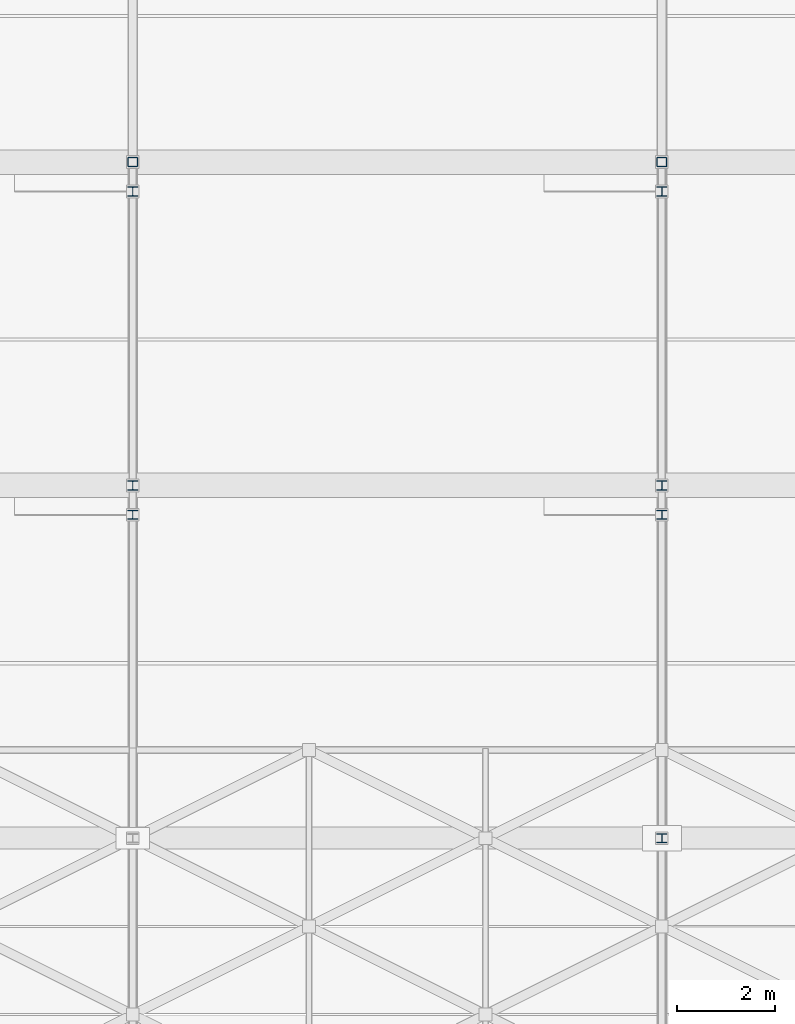
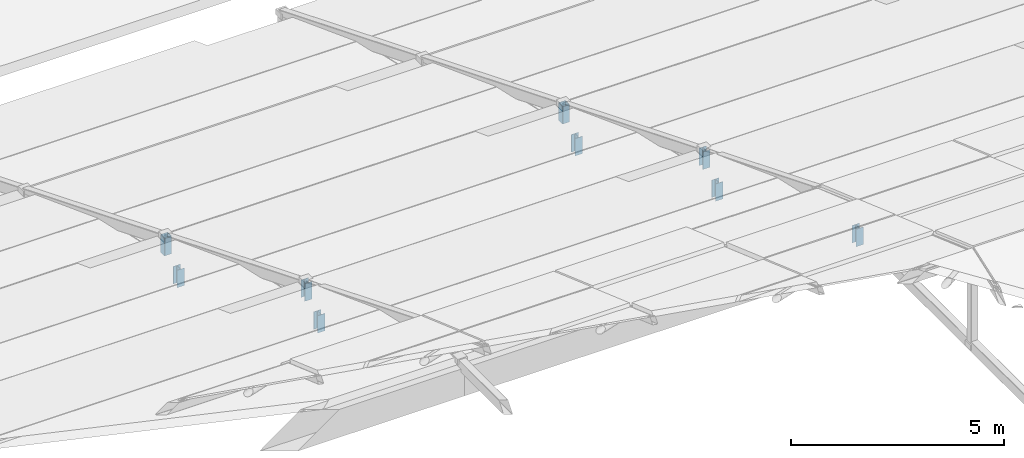
# One storey, part 79 of 112: 9 members.
"""IFC4 building model written with IfcOpenShell, lengths in metres."""

from ifc_helpers import new_model, si_unit, direction, frame, origin, origin_2d, place, context, subcontext, project, spatial, hollow_rectangle, i_section, extrude, material, material_profile, profile_set, type_object, element, save


model = new_model("IFC4")

# Units and contexts
model_context = context("Model", 3, precision=1e-05, world=origin(), true_north=direction((0.0, 1.0)))
body_context = subcontext(model_context, "Body", "Model", "MODEL_VIEW")
ifc_project = project(units=[si_unit("LENGTHUNIT", "METRE"), si_unit("AREAUNIT", "SQUARE_METRE"), si_unit("VOLUMEUNIT", "CUBIC_METRE"), si_unit("PLANEANGLEUNIT", "RADIAN"), si_unit("MASSUNIT", "GRAM", prefix="KILO")], contexts=[model_context])

# Site, building, storey
site_placement = place(None, origin())
site = spatial("IfcSite", under=ifc_project, at=site_placement, CompositionType="ELEMENT")
building_placement = place(site_placement, origin())
building = spatial("IfcBuilding", under=site, at=building_placement, Name="Zwinboog Wholesale Market", CompositionType="ELEMENT")
storey_placement = place(building_placement, frame((0.0, 0.0, 19.080078125)))
storey = spatial("IfcBuildingStorey", under=building, at=storey_placement, Name="Roof", CompositionType="ELEMENT", Elevation=19.080078125)

# Members
ifc_material = material(Name="Steel S355", Category="steel")
ifc_material_profile_1 = material_profile(ifc_material, hollow_rectangle(XDim=0.199951171875, YDim=0.199951171875, WallThickness=0.010009765625, InnerFilletRadius=0.010009765625, OuterFilletRadius=0.02001953125, at=origin_2d()), Name="SHS 200x200x10")
ifc_profile_set_1 = profile_set([ifc_material_profile_1], Name="Steel S355")
member_type_1 = type_object("IfcMemberType", Name="MT-04", PredefinedType="BRACE", material=ifc_profile_set_1)
for number, where, z_axis, x_axis, name in (
    (1, (97.199951171875, 94.800048828125, -4.630126953125), (0.0, 0.0, 1.0), (1.0, 0.0, 0.0), "DB-01 (MEM-Roof-0111)"),
    (2, (108.0, 94.800048828125, -4.630126953125), (0.0, 0.0, 1.0), (1.0, 0.0, 0.0), "DB-01 (MEM-Roof-0141)"),
):
    element("IfcMember", number, at=place(storey_placement, frame(where, z_axis=z_axis, x_axis=x_axis)), inside=storey, type_object=member_type_1, Name=name, PredefinedType="BRACE", context=body_context, shape_type="SweptSolid", body=[
        extrude(hollow_rectangle(XDim=0.199951171875, YDim=0.199951171875, WallThickness=0.010009765625, InnerFilletRadius=0.010009765625, OuterFilletRadius=0.02001953125, at=origin_2d()), origin(), (0.0, 0.0, 1.0), 0.5),
    ])
ifc_material_profile_2 = material_profile(ifc_material, i_section(OverallWidth=0.199951171875, OverallDepth=0.18994140625, WebThickness=0.006591796875, FlangeThickness=0.010009765625, FilletRadius=0.01806640625, at=origin_2d()), Name="HEA 200")
ifc_profile_set_2 = profile_set([ifc_material_profile_2], Name="Steel S355")
member_type_2 = type_object("IfcMemberType", Name="MT-05", PredefinedType="BRACE", material=ifc_profile_set_2)
for number, where, z_axis, x_axis, name in (
    (3, (97.199951171875, 94.199951171875, -5.18017578125), (0.0, 0.0, 1.0), (1.0, 0.0, 0.0), "DB-02 (MEM-Roof-0109)"),
    (4, (97.199951171875, 87.60009765625, -2.47998046875), (0.0, 0.0, 1.0), (1.0, 0.0, 0.0), "DB-02 (MEM-Roof-0112)"),
    (5, (97.199951171875, 88.199951171875, -1.93017578125), (0.0, 0.0, 1.0), (1.0, 0.0, 0.0), "DB-02 (MEM-Roof-0114)"),
    (6, (108.0, 94.199951171875, -5.18017578125), (0.0, 0.0, 1.0), (1.0, 0.0, 0.0), "DB-02 (MEM-Roof-0139)"),
    (7, (108.0, 87.60009765625, -2.47998046875), (0.0, 0.0, 1.0), (1.0, 0.0, 0.0), "DB-02 (MEM-Roof-0142)"),
    (8, (108.0, 88.199951171875, -1.93017578125), (0.0, 0.0, 1.0), (1.0, 0.0, 0.0), "DB-02 (MEM-Roof-0144)"),
    (9, (108.0, 81.0, 0.219970703125), (0.0, 0.0, 1.0), (1.0, 0.0, 0.0), "DB-02 (MEM-Roof-0145)"),
):
    element("IfcMember", number, at=place(storey_placement, frame(where, z_axis=z_axis, x_axis=x_axis)), inside=storey, type_object=member_type_2, Name=name, PredefinedType="BRACE", context=body_context, shape_type="SweptSolid", body=[
        extrude(i_section(OverallWidth=0.199951171875, OverallDepth=0.18994140625, WebThickness=0.006591796875, FlangeThickness=0.010009765625, FilletRadius=0.01806640625, at=origin_2d()), origin(), (0.0, 0.0, 1.0), 0.5),
    ])

save(model, "model.ifc")
